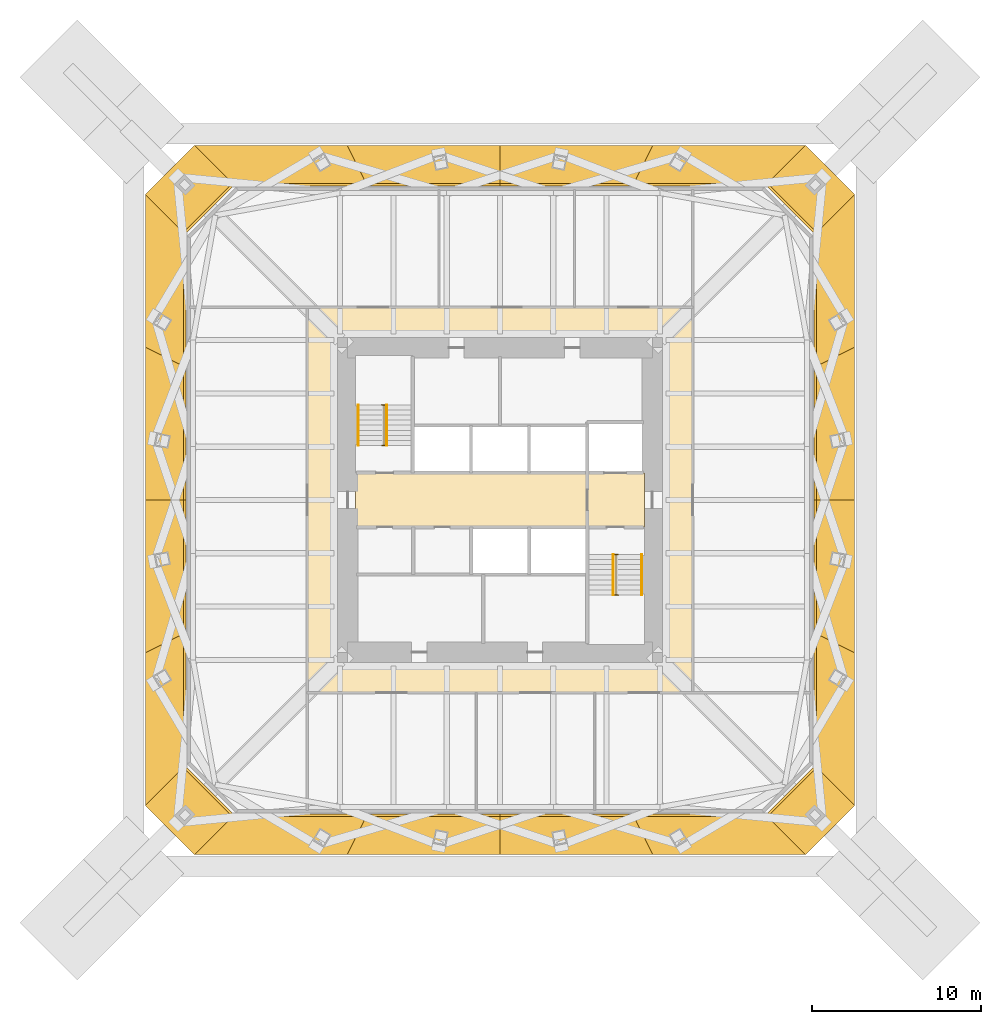
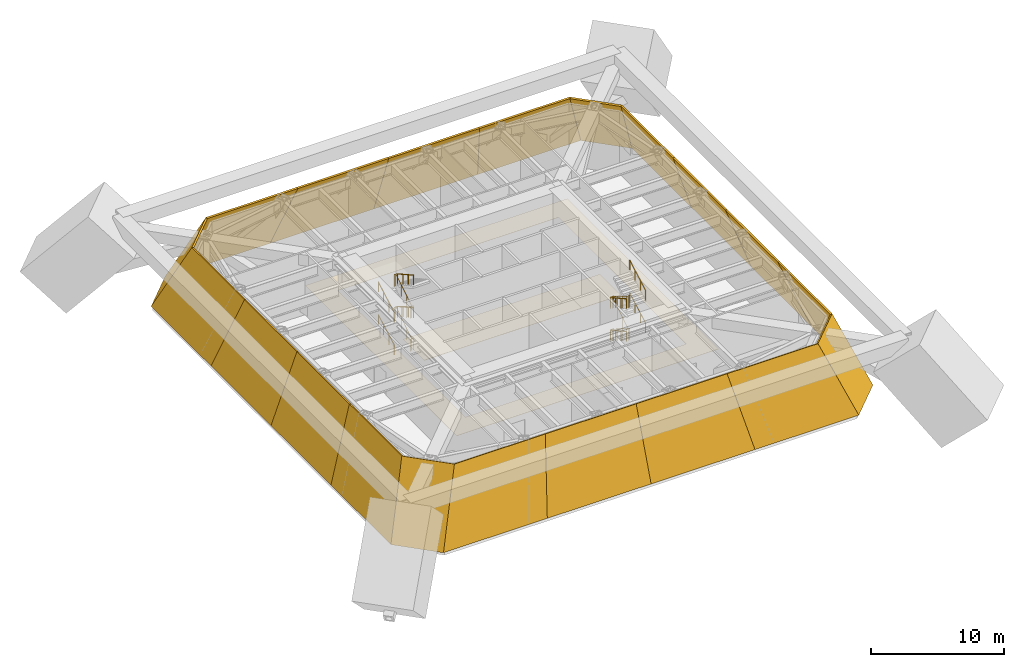
# One storey, part 6 of 6: 20 shading devices, 10 railings, 3 coverings.
"""IFC4 building model written with IfcOpenShell, lengths in metres."""

from ifc_helpers import new_model, si_unit, direction, frame, origin, origin_2d, place, context, subcontext, project, spatial, polyline, circle, outline, extrude, material, layer, layer_set, constituent, constituent_set, type_object, element, save


model = new_model("IFC4")

# Units and contexts
model_context = context("Model", 3, precision=1e-05, world=origin(), true_north=direction((0.0, 1.0)))
body_context = subcontext(model_context, "Body", "Model", "MODEL_VIEW")
ifc_project = project(units=[si_unit("LENGTHUNIT", "METRE"), si_unit("AREAUNIT", "SQUARE_METRE"), si_unit("VOLUMEUNIT", "CUBIC_METRE"), si_unit("PLANEANGLEUNIT", "RADIAN"), si_unit("MASSUNIT", "GRAM", prefix="KILO")], contexts=[model_context])

# Site, building, storey
site_placement = place(None, origin())
site = spatial("IfcSite", under=ifc_project, at=site_placement, CompositionType="ELEMENT")
building_placement = place(site_placement, origin())
building = spatial("IfcBuilding", under=site, at=building_placement, Name="Iwan Alto Co-Living Towers", CompositionType="ELEMENT")
storey_placement = place(building_placement, frame((0.0, 0.0, 143.5)))
storey = spatial("IfcBuildingStorey", under=building, at=storey_placement, Name="L39", CompositionType="ELEMENT", Elevation=143.5)

# Coverings
ifc_material_1 = material(Name="Mineral fibre acoustic tiles on steel grid", Category="steel")
ifc_layer_1 = layer(ifc_material_1, 0.02001953125)
ifc_layer_set_1 = layer_set([ifc_layer_1], Name="ACOUSTIC TILE CEILING 20")
covering_type_1 = type_object("IfcCoveringType", Name="ACOUSTIC TILE CEILING 20", PredefinedType="CEILING", material=ifc_layer_set_1)
covering_1_placement = place(storey_placement, frame((0.0, 0.0, 2.60009765625)))
element("IfcCovering", 1, at=covering_1_placement, inside=storey, type_object=covering_type_1, Name="Ceiling Lift lobby L39", PredefinedType="CEILING", context=body_context, shape_type="SweptSolid", body=[
    extrude(outline(polyline([(-8.550048828125, -1.60009765625), (-8.550048828125, 1.60009765625), (5.14990234375, 1.60009765625), (5.14990234375, -1.60009765625), (-8.550048828125, -1.60009765625)])), origin(), (0.0, 0.0, 1.0), 0.02001953125),
])
covering_2_placement = place(storey_placement, frame((0.0, 0.0, 2.60009765625)))
element("IfcCovering", 2, at=covering_2_placement, inside=storey, type_object=covering_type_1, Name="Ceiling Firefighting lobby L39", PredefinedType="CEILING", context=body_context, shape_type="SweptSolid", body=[
    extrude(outline(polyline([(5.14990234375, -1.60009765625), (5.14990234375, 1.60009765625), (8.550048828125, 1.60009765625), (8.550048828125, -1.60009765625), (5.14990234375, -1.60009765625)])), origin(), (0.0, 0.0, 1.0), 0.02001953125),
])

# Shading devices
ifc_material_2 = material(Name="Aluminium 6063-T6 bronze anodised", Category="aluminium")
ifc_layer_2 = layer(ifc_material_2, 0.10009765625, Name="Louvre blades", Category="Finish")
ifc_material_3 = material(Name="Steel ASTM A36 galvanised frame", Category="steel")
ifc_layer_3 = layer(ifc_material_3, 0.050048828125, Name="Steel frame", Category="Framing")
ifc_layer_set_2 = layer_set([ifc_layer_2, ifc_layer_3], Name="PLANT LOUVRE BAND 150")
shading_device_type = type_object("IfcShadingDeviceType", Name="PLANT LOUVRE BAND 150", PredefinedType="USERDEFINED", material=ifc_layer_set_2)
shading_device_1_placement = place(storey_placement, frame((-18.0615234375, -20.960205078125, 0.0), z_axis=(0.0, -0.936329177569, 0.351123441588), x_axis=(1.0, 0.0, 0.0)))
element("IfcShadingDevice", 3, at=shading_device_1_placement, inside=storey, type_object=shading_device_type, Name="T1 raked louvre band L39 panel 1", ObjectType="LOUVER", PredefinedType="USERDEFINED", context=body_context, shape_type="SweptSolid", body=[
    extrude(outline(polyline([(0.0, 0.0), (9.030761719, 0.0), (10.155761719, 6.408002809), (2.25, 6.408002809), (0.0, 0.0)])), origin(), (0.0, 0.0, -1.0), 0.14990234375),
])
shading_device_2_placement = place(storey_placement, frame((-9.03076171875, -20.960205078125, 0.0), z_axis=(0.0, -0.936329177569, 0.351123441588), x_axis=(1.0, 0.0, 0.0)))
element("IfcShadingDevice", 4, at=shading_device_2_placement, inside=storey, type_object=shading_device_type, Name="T1 raked louvre band L39 panel 2", ObjectType="LOUVER", PredefinedType="USERDEFINED", context=body_context, shape_type="SweptSolid", body=[
    extrude(outline(polyline([(0.0, 0.0), (9.030761719, 0.0), (9.030761719, 6.408002809), (1.125, 6.408002809), (0.0, 0.0)])), origin(), (0.0, 0.0, -1.0), 0.14990234375),
])
shading_device_3_placement = place(storey_placement, frame((0.0, -20.960205078125, 0.0), z_axis=(0.0, -0.936329177569, 0.351123441588), x_axis=(1.0, 0.0, 0.0)))
element("IfcShadingDevice", 5, at=shading_device_3_placement, inside=storey, type_object=shading_device_type, Name="T1 raked louvre band L39 panel 3", ObjectType="LOUVER", PredefinedType="USERDEFINED", context=body_context, shape_type="SweptSolid", body=[
    extrude(outline(polyline([(0.0, 0.0), (9.030761719, 0.0), (7.905761719, 6.408002809), (0.0, 6.408002809), (0.0, 0.0)])), origin(), (0.0, 0.0, -1.0), 0.14990234375),
])
shading_device_4_placement = place(storey_placement, frame((9.03076171875, -20.960205078125, 0.0), z_axis=(0.0, -0.936329177569, 0.351123441588), x_axis=(1.0, 0.0, 0.0)))
element("IfcShadingDevice", 6, at=shading_device_4_placement, inside=storey, type_object=shading_device_type, Name="T1 raked louvre band L39 panel 4", ObjectType="LOUVER", PredefinedType="USERDEFINED", context=body_context, shape_type="SweptSolid", body=[
    extrude(outline(polyline([(0.0, 0.0), (9.030761719, 0.0), (6.780761719, 6.408002809), (-1.125, 6.408002809), (0.0, 0.0)])), origin(), (0.0, 0.0, -1.0), 0.14990234375),
])
shading_device_5_placement = place(storey_placement, frame((18.0615234375, -20.960205078125, 0.0), z_axis=(0.624695047554, -0.624695047554, 0.468521285666), x_axis=(0.707106781187, 0.707106781187, 0.0)))
element("IfcShadingDevice", 7, at=shading_device_5_placement, inside=storey, type_object=shading_device_type, Name="T1 raked louvre band L39 panel 5", ObjectType="LOUVER", PredefinedType="USERDEFINED", context=body_context, shape_type="SweptSolid", body=[
    extrude(outline(polyline([(0.0, 0.0), (4.099354889, 0.0), (4.099354889, 6.791538854), (0.0, 6.791538854), (0.0, 0.0)])), origin(), (0.0, 0.0, -1.0), 0.14990234375),
])
shading_device_6_placement = place(storey_placement, frame((20.960205078125, -18.0615234375, 0.0), z_axis=(0.936329177569, 0.0, 0.351123441588), x_axis=(0.0, 1.0, 0.0)))
element("IfcShadingDevice", 8, at=shading_device_6_placement, inside=storey, type_object=shading_device_type, Name="T1 raked louvre band L39 panel 6", ObjectType="LOUVER", PredefinedType="USERDEFINED", context=body_context, shape_type="SweptSolid", body=[
    extrude(outline(polyline([(0.0, 0.0), (9.030761719, 0.0), (10.155761719, 6.408002809), (2.25, 6.408002809), (0.0, 0.0)])), origin(), (0.0, 0.0, -1.0), 0.14990234375),
])
shading_device_7_placement = place(storey_placement, frame((20.960205078125, -9.03076171875, 0.0), z_axis=(0.936329177569, 0.0, 0.351123441588), x_axis=(0.0, 1.0, 0.0)))
element("IfcShadingDevice", 9, at=shading_device_7_placement, inside=storey, type_object=shading_device_type, Name="T1 raked louvre band L39 panel 7", ObjectType="LOUVER", PredefinedType="USERDEFINED", context=body_context, shape_type="SweptSolid", body=[
    extrude(outline(polyline([(0.0, 0.0), (9.030761719, 0.0), (9.030761719, 6.408002809), (1.125, 6.408002809), (0.0, 0.0)])), origin(), (0.0, 0.0, -1.0), 0.14990234375),
])
shading_device_8_placement = place(storey_placement, frame((20.960205078125, 0.0, 0.0), z_axis=(0.936329177569, 0.0, 0.351123441588), x_axis=(0.0, 1.0, 0.0)))
element("IfcShadingDevice", 10, at=shading_device_8_placement, inside=storey, type_object=shading_device_type, Name="T1 raked louvre band L39 panel 8", ObjectType="LOUVER", PredefinedType="USERDEFINED", context=body_context, shape_type="SweptSolid", body=[
    extrude(outline(polyline([(0.0, 0.0), (9.030761719, 0.0), (7.905761719, 6.408002809), (0.0, 6.408002809), (0.0, 0.0)])), origin(), (0.0, 0.0, -1.0), 0.14990234375),
])
shading_device_9_placement = place(storey_placement, frame((20.960205078125, 9.03076171875, 0.0), z_axis=(0.936329177569, 0.0, 0.351123441588), x_axis=(0.0, 1.0, 0.0)))
element("IfcShadingDevice", 11, at=shading_device_9_placement, inside=storey, type_object=shading_device_type, Name="T1 raked louvre band L39 panel 9", ObjectType="LOUVER", PredefinedType="USERDEFINED", context=body_context, shape_type="SweptSolid", body=[
    extrude(outline(polyline([(0.0, 0.0), (9.030761719, 0.0), (6.780761719, 6.408002809), (-1.125, 6.408002809), (0.0, 0.0)])), origin(), (0.0, 0.0, -1.0), 0.14990234375),
])
shading_device_10_placement = place(storey_placement, frame((20.960205078125, 18.0615234375, 0.0), z_axis=(0.624695047554, 0.624695047554, 0.468521285666), x_axis=(-0.707106781187, 0.707106781187, 0.0)))
element("IfcShadingDevice", 12, at=shading_device_10_placement, inside=storey, type_object=shading_device_type, Name="T1 raked louvre band L39 panel 10", ObjectType="LOUVER", PredefinedType="USERDEFINED", context=body_context, shape_type="SweptSolid", body=[
    extrude(outline(polyline([(0.0, 0.0), (4.099354889, 0.0), (4.099354889, 6.791538854), (0.0, 6.791538854), (0.0, 0.0)])), origin(), (0.0, 0.0, -1.0), 0.14990234375),
])
shading_device_11_placement = place(storey_placement, frame((18.0615234375, 20.960205078125, 0.0), z_axis=(0.0, 0.936329177569, 0.351123441588), x_axis=(-1.0, 0.0, 0.0)))
element("IfcShadingDevice", 13, at=shading_device_11_placement, inside=storey, type_object=shading_device_type, Name="T1 raked louvre band L39 panel 11", ObjectType="LOUVER", PredefinedType="USERDEFINED", context=body_context, shape_type="SweptSolid", body=[
    extrude(outline(polyline([(0.0, 0.0), (9.030761719, 0.0), (10.155761719, 6.408002809), (2.25, 6.408002809), (0.0, 0.0)])), origin(), (0.0, 0.0, -1.0), 0.14990234375),
])
shading_device_12_placement = place(storey_placement, frame((9.03076171875, 20.960205078125, 0.0), z_axis=(0.0, 0.936329177569, 0.351123441588), x_axis=(-1.0, 0.0, 0.0)))
element("IfcShadingDevice", 14, at=shading_device_12_placement, inside=storey, type_object=shading_device_type, Name="T1 raked louvre band L39 panel 12", ObjectType="LOUVER", PredefinedType="USERDEFINED", context=body_context, shape_type="SweptSolid", body=[
    extrude(outline(polyline([(0.0, 0.0), (9.030761719, 0.0), (9.030761719, 6.408002809), (1.125, 6.408002809), (0.0, 0.0)])), origin(), (0.0, 0.0, -1.0), 0.14990234375),
])
shading_device_13_placement = place(storey_placement, frame((0.0, 20.960205078125, 0.0), z_axis=(0.0, 0.936329177569, 0.351123441588), x_axis=(-1.0, 0.0, 0.0)))
element("IfcShadingDevice", 15, at=shading_device_13_placement, inside=storey, type_object=shading_device_type, Name="T1 raked louvre band L39 panel 13", ObjectType="LOUVER", PredefinedType="USERDEFINED", context=body_context, shape_type="SweptSolid", body=[
    extrude(outline(polyline([(0.0, 0.0), (9.030761719, 0.0), (7.905761719, 6.408002809), (0.0, 6.408002809), (0.0, 0.0)])), origin(), (0.0, 0.0, -1.0), 0.14990234375),
])
shading_device_14_placement = place(storey_placement, frame((-9.03076171875, 20.960205078125, 0.0), z_axis=(0.0, 0.936329177569, 0.351123441588), x_axis=(-1.0, 0.0, 0.0)))
element("IfcShadingDevice", 16, at=shading_device_14_placement, inside=storey, type_object=shading_device_type, Name="T1 raked louvre band L39 panel 14", ObjectType="LOUVER", PredefinedType="USERDEFINED", context=body_context, shape_type="SweptSolid", body=[
    extrude(outline(polyline([(0.0, 0.0), (9.030761719, 0.0), (6.780761719, 6.408002809), (-1.125, 6.408002809), (0.0, 0.0)])), origin(), (0.0, 0.0, -1.0), 0.14990234375),
])
shading_device_15_placement = place(storey_placement, frame((-18.0615234375, 20.960205078125, 0.0), z_axis=(-0.624695047554, 0.624695047554, 0.468521285666), x_axis=(-0.707106781187, -0.707106781187, 0.0)))
element("IfcShadingDevice", 17, at=shading_device_15_placement, inside=storey, type_object=shading_device_type, Name="T1 raked louvre band L39 panel 15", ObjectType="LOUVER", PredefinedType="USERDEFINED", context=body_context, shape_type="SweptSolid", body=[
    extrude(outline(polyline([(0.0, 0.0), (4.099354889, 0.0), (4.099354889, 6.791538854), (0.0, 6.791538854), (0.0, 0.0)])), origin(), (0.0, 0.0, -1.0), 0.14990234375),
])
shading_device_16_placement = place(storey_placement, frame((-20.960205078125, 18.0615234375, 0.0), z_axis=(-0.936329177569, 0.0, 0.351123441588), x_axis=(0.0, -1.0, 0.0)))
element("IfcShadingDevice", 18, at=shading_device_16_placement, inside=storey, type_object=shading_device_type, Name="T1 raked louvre band L39 panel 16", ObjectType="LOUVER", PredefinedType="USERDEFINED", context=body_context, shape_type="SweptSolid", body=[
    extrude(outline(polyline([(0.0, 0.0), (9.030761719, 0.0), (10.155761719, 6.408002809), (2.25, 6.408002809), (0.0, 0.0)])), origin(), (0.0, 0.0, -1.0), 0.14990234375),
])
shading_device_17_placement = place(storey_placement, frame((-20.960205078125, 9.03076171875, 0.0), z_axis=(-0.936329177569, 0.0, 0.351123441588), x_axis=(0.0, -1.0, 0.0)))
element("IfcShadingDevice", 19, at=shading_device_17_placement, inside=storey, type_object=shading_device_type, Name="T1 raked louvre band L39 panel 17", ObjectType="LOUVER", PredefinedType="USERDEFINED", context=body_context, shape_type="SweptSolid", body=[
    extrude(outline(polyline([(0.0, 0.0), (9.030761719, 0.0), (9.030761719, 6.408002809), (1.125, 6.408002809), (0.0, 0.0)])), origin(), (0.0, 0.0, -1.0), 0.14990234375),
])
shading_device_18_placement = place(storey_placement, frame((-20.960205078125, 0.0, 0.0), z_axis=(-0.936329177569, 0.0, 0.351123441588), x_axis=(0.0, -1.0, 0.0)))
element("IfcShadingDevice", 20, at=shading_device_18_placement, inside=storey, type_object=shading_device_type, Name="T1 raked louvre band L39 panel 18", ObjectType="LOUVER", PredefinedType="USERDEFINED", context=body_context, shape_type="SweptSolid", body=[
    extrude(outline(polyline([(0.0, 0.0), (9.030761719, 0.0), (7.905761719, 6.408002809), (0.0, 6.408002809), (0.0, 0.0)])), origin(), (0.0, 0.0, -1.0), 0.14990234375),
])
shading_device_19_placement = place(storey_placement, frame((-20.960205078125, -9.03076171875, 0.0), z_axis=(-0.936329177569, 0.0, 0.351123441588), x_axis=(0.0, -1.0, 0.0)))
element("IfcShadingDevice", 21, at=shading_device_19_placement, inside=storey, type_object=shading_device_type, Name="T1 raked louvre band L39 panel 19", ObjectType="LOUVER", PredefinedType="USERDEFINED", context=body_context, shape_type="SweptSolid", body=[
    extrude(outline(polyline([(0.0, 0.0), (9.030761719, 0.0), (6.780761719, 6.408002809), (-1.125, 6.408002809), (0.0, 0.0)])), origin(), (0.0, 0.0, -1.0), 0.14990234375),
])
shading_device_20_placement = place(storey_placement, frame((-20.960205078125, -18.0615234375, 0.0), z_axis=(-0.624695047554, -0.624695047554, 0.468521285666), x_axis=(0.707106781187, -0.707106781187, 0.0)))
element("IfcShadingDevice", 22, at=shading_device_20_placement, inside=storey, type_object=shading_device_type, Name="T1 raked louvre band L39 panel 20", ObjectType="LOUVER", PredefinedType="USERDEFINED", context=body_context, shape_type="SweptSolid", body=[
    extrude(outline(polyline([(0.0, 0.0), (4.099354889, 0.0), (4.099354889, 6.791538854), (0.0, 6.791538854), (0.0, 0.0)])), origin(), (0.0, 0.0, -1.0), 0.14990234375),
])

# Railings
ifc_material_4 = material(Name="Steel ASTM A500 Gr C", Category="steel")
ifc_constituent_1 = constituent(ifc_material_4, Name="Rails and posts", Category="Framing")
ifc_material_5 = material(Name="Steel ASTM A36", Category="steel")
ifc_constituent_2 = constituent(ifc_material_5, Name="Bar infill", Category="Infill")
ifc_constituent_set = constituent_set(constituents=[ifc_constituent_1, ifc_constituent_2], Name="STAIR GUARD 1100")
railing_type_1 = type_object("IfcRailingType", Name="STAIR GUARD 1100", PredefinedType="GUARDRAIL", material=ifc_constituent_set)
railing_1_placement = place(storey_placement, frame((-6.85009765625, 3.219970703125, 0.0)))
element("IfcRailing", 23, at=railing_1_placement, inside=storey, type_object=railing_type_1, Name="Stair T1-S1 well guard L39", PredefinedType="GUARDRAIL", context=body_context, shape_type="SweptSolid", body=[
    extrude(circle(Radius=0.02392578125, at=origin_2d()), frame((0.0, 0.0, 1.076171875), z_axis=(0.0, 0.84801284173, 0.529975678933), x_axis=(-1.0, 0.0, 0.0)), (0.0, 0.0, 1.0), 2.830322265625),
    extrude(circle(Radius=0.02392578125, at=origin_2d()), frame((0.0, 2.400146484375, 2.576171875), z_axis=(0.0, -0.84801284173, 0.529975678933), x_axis=(1.0, 0.0, 0.0)), (0.0, 0.0, 1.0), 2.830322265625),
    extrude(circle(Radius=0.02392578125, at=origin_2d()), frame((0.0, 0.0, 4.076171875), z_axis=(0.0, 0.84801284173, 0.529975678933), x_axis=(-1.0, 0.0, 0.0)), (0.0, 0.0, 1.0), 2.830322265625),
    extrude(circle(Radius=0.02392578125, at=origin_2d()), frame((-0.14990234375, 0.0, 1.076171875), z_axis=(1.0, 0.0, 0.0), x_axis=(0.0, 1.0, 0.0)), (0.0, 0.0, 1.0), 0.300048828125),
    extrude(circle(Radius=0.02392578125, at=origin_2d()), frame((-0.14990234375, 2.400146484375, 2.576171875), z_axis=(1.0, 0.0, 0.0), x_axis=(0.0, 1.0, 0.0)), (0.0, 0.0, 1.0), 0.300048828125),
    extrude(circle(Radius=0.02392578125, at=origin_2d()), frame((-0.14990234375, 0.0, 4.076171875), z_axis=(1.0, 0.0, 0.0), x_axis=(0.0, 1.0, 0.0)), (0.0, 0.0, 1.0), 0.300048828125),
    extrude(circle(Radius=0.02392578125, at=origin_2d()), frame((-0.14990234375, 2.400146484375, 5.576171875), z_axis=(1.0, 0.0, 0.0), x_axis=(0.0, 1.0, 0.0)), (0.0, 0.0, 1.0), 0.300048828125),
    extrude(circle(Radius=0.02099609375, at=origin_2d()), origin(), (0.0, 0.0, 1.0), 1.052001953125),
    extrude(circle(Radius=0.02099609375, at=origin_2d()), frame((0.0, 0.800048828125, 0.5)), (0.0, 0.0, 1.0), 1.052001953125),
    extrude(circle(Radius=0.02099609375, at=origin_2d()), frame((0.0, 1.60009765625, 1.0)), (0.0, 0.0, 1.0), 1.052001953125),
    extrude(circle(Radius=0.02099609375, at=origin_2d()), frame((0.0, 2.400146484375, 1.5)), (0.0, 0.0, 1.0), 1.052001953125),
    extrude(circle(Radius=0.02099609375, at=origin_2d()), frame((0.0, 1.60009765625, 2.0)), (0.0, 0.0, 1.0), 1.052001953125),
    extrude(circle(Radius=0.02099609375, at=origin_2d()), frame((0.0, 0.800048828125, 2.5)), (0.0, 0.0, 1.0), 1.052001953125),
    extrude(circle(Radius=0.02099609375, at=origin_2d()), frame((0.0, 0.0, 3.0)), (0.0, 0.0, 1.0), 1.052001953125),
    extrude(circle(Radius=0.02099609375, at=origin_2d()), frame((0.0, 0.800048828125, 3.5)), (0.0, 0.0, 1.0), 1.052001953125),
    extrude(circle(Radius=0.02099609375, at=origin_2d()), frame((0.0, 1.60009765625, 4.0)), (0.0, 0.0, 1.0), 1.052001953125),
    extrude(circle(Radius=0.02099609375, at=origin_2d()), frame((0.0, 2.400146484375, 4.5)), (0.0, 0.0, 1.0), 1.052001953125),
    extrude(circle(Radius=0.02099609375, at=origin_2d()), frame((-0.14990234375, 0.0, 0.0)), (0.0, 0.0, 1.0), 1.052001953125),
    extrude(circle(Radius=0.02099609375, at=origin_2d()), frame((0.150146484375, 0.0, 0.0)), (0.0, 0.0, 1.0), 1.052001953125),
    extrude(circle(Radius=0.02099609375, at=origin_2d()), frame((-0.14990234375, 2.400146484375, 1.5)), (0.0, 0.0, 1.0), 1.052001953125),
    extrude(circle(Radius=0.02099609375, at=origin_2d()), frame((0.150146484375, 2.400146484375, 1.5)), (0.0, 0.0, 1.0), 1.052001953125),
    extrude(circle(Radius=0.02099609375, at=origin_2d()), frame((-0.14990234375, 0.0, 3.0)), (0.0, 0.0, 1.0), 1.052001953125),
    extrude(circle(Radius=0.02099609375, at=origin_2d()), frame((0.150146484375, 0.0, 3.0)), (0.0, 0.0, 1.0), 1.052001953125),
    extrude(circle(Radius=0.02099609375, at=origin_2d()), frame((-0.14990234375, 2.400146484375, 4.5)), (0.0, 0.0, 1.0), 1.052001953125),
    extrude(circle(Radius=0.02099609375, at=origin_2d()), frame((0.150146484375, 2.400146484375, 4.5)), (0.0, 0.0, 1.0), 1.052001953125),
])
railing_2_placement = place(storey_placement, frame((6.85009765625, -3.219970703125, 0.0)))
element("IfcRailing", 24, at=railing_2_placement, inside=storey, type_object=railing_type_1, Name="Stair T1-S2 well guard L39", PredefinedType="GUARDRAIL", context=body_context, shape_type="SweptSolid", body=[
    extrude(circle(Radius=0.02392578125, at=origin_2d()), frame((0.0, 0.0, 1.076171875), z_axis=(0.0, -0.84801284173, 0.529975678933), x_axis=(1.0, 0.0, 0.0)), (0.0, 0.0, 1.0), 2.830322265625),
    extrude(circle(Radius=0.02392578125, at=origin_2d()), frame((0.0, -2.400146484375, 2.576171875), z_axis=(0.0, 0.84801284173, 0.529975678933), x_axis=(-1.0, 0.0, 0.0)), (0.0, 0.0, 1.0), 2.830322265625),
    extrude(circle(Radius=0.02392578125, at=origin_2d()), frame((0.0, 0.0, 4.076171875), z_axis=(0.0, -0.84801284173, 0.529975678933), x_axis=(1.0, 0.0, 0.0)), (0.0, 0.0, 1.0), 2.830322265625),
    extrude(circle(Radius=0.02392578125, at=origin_2d()), frame((-0.150146484375, 0.0, 1.076171875), z_axis=(1.0, 0.0, 0.0), x_axis=(0.0, 1.0, 0.0)), (0.0, 0.0, 1.0), 0.300048828125),
    extrude(circle(Radius=0.02392578125, at=origin_2d()), frame((-0.150146484375, -2.400146484375, 2.576171875), z_axis=(1.0, 0.0, 0.0), x_axis=(0.0, 1.0, 0.0)), (0.0, 0.0, 1.0), 0.300048828125),
    extrude(circle(Radius=0.02392578125, at=origin_2d()), frame((-0.150146484375, 0.0, 4.076171875), z_axis=(1.0, 0.0, 0.0), x_axis=(0.0, 1.0, 0.0)), (0.0, 0.0, 1.0), 0.300048828125),
    extrude(circle(Radius=0.02392578125, at=origin_2d()), frame((-0.150146484375, -2.400146484375, 5.576171875), z_axis=(1.0, 0.0, 0.0), x_axis=(0.0, 1.0, 0.0)), (0.0, 0.0, 1.0), 0.300048828125),
    extrude(circle(Radius=0.02099609375, at=origin_2d()), origin(), (0.0, 0.0, 1.0), 1.052001953125),
    extrude(circle(Radius=0.02099609375, at=origin_2d()), frame((0.0, -0.800048828125, 0.5)), (0.0, 0.0, 1.0), 1.052001953125),
    extrude(circle(Radius=0.02099609375, at=origin_2d()), frame((0.0, -1.60009765625, 1.0)), (0.0, 0.0, 1.0), 1.052001953125),
    extrude(circle(Radius=0.02099609375, at=origin_2d()), frame((0.0, -2.400146484375, 1.5)), (0.0, 0.0, 1.0), 1.052001953125),
    extrude(circle(Radius=0.02099609375, at=origin_2d()), frame((0.0, -1.60009765625, 2.0)), (0.0, 0.0, 1.0), 1.052001953125),
    extrude(circle(Radius=0.02099609375, at=origin_2d()), frame((0.0, -0.800048828125, 2.5)), (0.0, 0.0, 1.0), 1.052001953125),
    extrude(circle(Radius=0.02099609375, at=origin_2d()), frame((0.0, 0.0, 3.0)), (0.0, 0.0, 1.0), 1.052001953125),
    extrude(circle(Radius=0.02099609375, at=origin_2d()), frame((0.0, -0.800048828125, 3.5)), (0.0, 0.0, 1.0), 1.052001953125),
    extrude(circle(Radius=0.02099609375, at=origin_2d()), frame((0.0, -1.60009765625, 4.0)), (0.0, 0.0, 1.0), 1.052001953125),
    extrude(circle(Radius=0.02099609375, at=origin_2d()), frame((0.0, -2.400146484375, 4.5)), (0.0, 0.0, 1.0), 1.052001953125),
    extrude(circle(Radius=0.02099609375, at=origin_2d()), frame((-0.150146484375, 0.0, 0.0)), (0.0, 0.0, 1.0), 1.052001953125),
    extrude(circle(Radius=0.02099609375, at=origin_2d()), frame((0.14990234375, 0.0, 0.0)), (0.0, 0.0, 1.0), 1.052001953125),
    extrude(circle(Radius=0.02099609375, at=origin_2d()), frame((-0.150146484375, -2.400146484375, 1.5)), (0.0, 0.0, 1.0), 1.052001953125),
    extrude(circle(Radius=0.02099609375, at=origin_2d()), frame((0.14990234375, -2.400146484375, 1.5)), (0.0, 0.0, 1.0), 1.052001953125),
    extrude(circle(Radius=0.02099609375, at=origin_2d()), frame((-0.150146484375, 0.0, 3.0)), (0.0, 0.0, 1.0), 1.052001953125),
    extrude(circle(Radius=0.02099609375, at=origin_2d()), frame((0.14990234375, 0.0, 3.0)), (0.0, 0.0, 1.0), 1.052001953125),
    extrude(circle(Radius=0.02099609375, at=origin_2d()), frame((-0.150146484375, -2.400146484375, 4.5)), (0.0, 0.0, 1.0), 1.052001953125),
    extrude(circle(Radius=0.02099609375, at=origin_2d()), frame((0.14990234375, -2.400146484375, 4.5)), (0.0, 0.0, 1.0), 1.052001953125),
])
ifc_material_6 = material(Name="Steel ASTM A500 Gr C", Category="steel")
railing_type_2 = type_object("IfcRailingType", Name="STAIR HANDRAIL 900", PredefinedType="HANDRAIL", material=ifc_material_6)
railing_3_placement = place(storey_placement, frame((-8.3798828125, 3.219970703125, 0.166748046875)))
element("IfcRailing", 25, at=railing_3_placement, inside=storey, type_object=railing_type_2, Name="Stair T1-S1 handrail 1 L39", PredefinedType="HANDRAIL", context=body_context, shape_type="SweptSolid", body=[
    extrude(circle(Radius=0.02392578125, at=origin_2d()), frame((0.0, 0.0, 0.8759765625), z_axis=(0.0, 0.874182441271, 0.485597631145), x_axis=(-1.0, 0.0, 0.0)), (0.0, 0.0, 1.0), 2.74560546875),
    extrude(circle(Radius=0.02099609375, at=origin_2d()), origin(), (0.0, 0.0, 1.0), 0.851806640625),
    extrude(circle(Radius=0.02099609375, at=origin_2d()), frame((0.0, 0.800048828125, 0.4443359375)), (0.0, 0.0, 1.0), 0.851806640625),
    extrude(circle(Radius=0.02099609375, at=origin_2d()), frame((0.0, 1.60009765625, 0.888916015625)), (0.0, 0.0, 1.0), 0.851806640625),
    extrude(circle(Radius=0.02099609375, at=origin_2d()), frame((0.0, 2.400146484375, 1.333251953125)), (0.0, 0.0, 1.0), 0.851806640625),
])
railing_4_placement = place(storey_placement, frame((-6.699951171875, 5.6201171875, 1.666748046875)))
element("IfcRailing", 26, at=railing_4_placement, inside=storey, type_object=railing_type_2, Name="Stair T1-S1 handrail 2 L39", PredefinedType="HANDRAIL", context=body_context, shape_type="SweptSolid", body=[
    extrude(circle(Radius=0.02392578125, at=origin_2d()), frame((0.0, 0.0, 0.8759765625), z_axis=(0.0, -0.874182441271, 0.485597631145), x_axis=(1.0, 0.0, 0.0)), (0.0, 0.0, 1.0), 2.74560546875),
    extrude(circle(Radius=0.02099609375, at=origin_2d()), origin(), (0.0, 0.0, 1.0), 0.851806640625),
    extrude(circle(Radius=0.02099609375, at=origin_2d()), frame((0.0, -0.800048828125, 0.4443359375)), (0.0, 0.0, 1.0), 0.851806640625),
    extrude(circle(Radius=0.02099609375, at=origin_2d()), frame((0.0, -1.60009765625, 0.888916015625)), (0.0, 0.0, 1.0), 0.851806640625),
    extrude(circle(Radius=0.02099609375, at=origin_2d()), frame((0.0, -2.400146484375, 1.333251953125)), (0.0, 0.0, 1.0), 0.851806640625),
])
railing_5_placement = place(storey_placement, frame((-8.3798828125, 3.219970703125, 3.166748046875)))
element("IfcRailing", 27, at=railing_5_placement, inside=storey, type_object=railing_type_2, Name="Stair T1-S1 handrail 3 L39", PredefinedType="HANDRAIL", context=body_context, shape_type="SweptSolid", body=[
    extrude(circle(Radius=0.02392578125, at=origin_2d()), frame((0.0, 0.0, 0.8759765625), z_axis=(0.0, 0.874182441271, 0.485597631145), x_axis=(-1.0, 0.0, 0.0)), (0.0, 0.0, 1.0), 2.74560546875),
    extrude(circle(Radius=0.02099609375, at=origin_2d()), origin(), (0.0, 0.0, 1.0), 0.851806640625),
    extrude(circle(Radius=0.02099609375, at=origin_2d()), frame((0.0, 0.800048828125, 0.4443359375)), (0.0, 0.0, 1.0), 0.851806640625),
    extrude(circle(Radius=0.02099609375, at=origin_2d()), frame((0.0, 1.60009765625, 0.888916015625)), (0.0, 0.0, 1.0), 0.851806640625),
    extrude(circle(Radius=0.02099609375, at=origin_2d()), frame((0.0, 2.400146484375, 1.333251953125)), (0.0, 0.0, 1.0), 0.851806640625),
])
for number, where, name in (
    (28, (-6.699951171875, 5.6201171875, 4.666748046875), "Stair T1-S1 handrail 4 L39"),
    (29, (6.699951171875, -3.219970703125, 0.166748046875), "Stair T1-S2 handrail 1 L39"),
):
    element("IfcRailing", number, at=place(storey_placement, frame(where)), inside=storey, type_object=railing_type_2, Name=name, PredefinedType="HANDRAIL", context=body_context, shape_type="SweptSolid", body=[
        extrude(circle(Radius=0.02392578125, at=origin_2d()), frame((0.0, 0.0, 0.8759765625), z_axis=(0.0, -0.874182441271, 0.485597631145), x_axis=(1.0, 0.0, 0.0)), (0.0, 0.0, 1.0), 2.74560546875),
        extrude(circle(Radius=0.02099609375, at=origin_2d()), origin(), (0.0, 0.0, 1.0), 0.851806640625),
        extrude(circle(Radius=0.02099609375, at=origin_2d()), frame((0.0, -0.800048828125, 0.4443359375)), (0.0, 0.0, 1.0), 0.851806640625),
        extrude(circle(Radius=0.02099609375, at=origin_2d()), frame((0.0, -1.60009765625, 0.888916015625)), (0.0, 0.0, 1.0), 0.851806640625),
        extrude(circle(Radius=0.02099609375, at=origin_2d()), frame((0.0, -2.400146484375, 1.333251953125)), (0.0, 0.0, 1.0), 0.851806640625),
    ])
railing_6_placement = place(storey_placement, frame((8.3798828125, -5.6201171875, 1.666748046875)))
element("IfcRailing", 30, at=railing_6_placement, inside=storey, type_object=railing_type_2, Name="Stair T1-S2 handrail 2 L39", PredefinedType="HANDRAIL", context=body_context, shape_type="SweptSolid", body=[
    extrude(circle(Radius=0.02392578125, at=origin_2d()), frame((0.0, 0.0, 0.8759765625), z_axis=(0.0, 0.874182441271, 0.485597631145), x_axis=(-1.0, 0.0, 0.0)), (0.0, 0.0, 1.0), 2.74560546875),
    extrude(circle(Radius=0.02099609375, at=origin_2d()), origin(), (0.0, 0.0, 1.0), 0.851806640625),
    extrude(circle(Radius=0.02099609375, at=origin_2d()), frame((0.0, 0.800048828125, 0.4443359375)), (0.0, 0.0, 1.0), 0.851806640625),
    extrude(circle(Radius=0.02099609375, at=origin_2d()), frame((0.0, 1.60009765625, 0.888916015625)), (0.0, 0.0, 1.0), 0.851806640625),
    extrude(circle(Radius=0.02099609375, at=origin_2d()), frame((0.0, 2.400146484375, 1.333251953125)), (0.0, 0.0, 1.0), 0.851806640625),
])
railing_7_placement = place(storey_placement, frame((6.699951171875, -3.219970703125, 3.166748046875)))
element("IfcRailing", 31, at=railing_7_placement, inside=storey, type_object=railing_type_2, Name="Stair T1-S2 handrail 3 L39", PredefinedType="HANDRAIL", context=body_context, shape_type="SweptSolid", body=[
    extrude(circle(Radius=0.02392578125, at=origin_2d()), frame((0.0, 0.0, 0.8759765625), z_axis=(0.0, -0.874182441271, 0.485597631145), x_axis=(1.0, 0.0, 0.0)), (0.0, 0.0, 1.0), 2.74560546875),
    extrude(circle(Radius=0.02099609375, at=origin_2d()), origin(), (0.0, 0.0, 1.0), 0.851806640625),
    extrude(circle(Radius=0.02099609375, at=origin_2d()), frame((0.0, -0.800048828125, 0.4443359375)), (0.0, 0.0, 1.0), 0.851806640625),
    extrude(circle(Radius=0.02099609375, at=origin_2d()), frame((0.0, -1.60009765625, 0.888916015625)), (0.0, 0.0, 1.0), 0.851806640625),
    extrude(circle(Radius=0.02099609375, at=origin_2d()), frame((0.0, -2.400146484375, 1.333251953125)), (0.0, 0.0, 1.0), 0.851806640625),
])
railing_8_placement = place(storey_placement, frame((8.3798828125, -5.6201171875, 4.666748046875)))
element("IfcRailing", 32, at=railing_8_placement, inside=storey, type_object=railing_type_2, Name="Stair T1-S2 handrail 4 L39", PredefinedType="HANDRAIL", context=body_context, shape_type="SweptSolid", body=[
    extrude(circle(Radius=0.02392578125, at=origin_2d()), frame((0.0, 0.0, 0.8759765625), z_axis=(0.0, 0.874182441271, 0.485597631145), x_axis=(-1.0, 0.0, 0.0)), (0.0, 0.0, 1.0), 2.74560546875),
    extrude(circle(Radius=0.02099609375, at=origin_2d()), origin(), (0.0, 0.0, 1.0), 0.851806640625),
    extrude(circle(Radius=0.02099609375, at=origin_2d()), frame((0.0, 0.800048828125, 0.4443359375)), (0.0, 0.0, 1.0), 0.851806640625),
    extrude(circle(Radius=0.02099609375, at=origin_2d()), frame((0.0, 1.60009765625, 0.888916015625)), (0.0, 0.0, 1.0), 0.851806640625),
    extrude(circle(Radius=0.02099609375, at=origin_2d()), frame((0.0, 2.400146484375, 1.333251953125)), (0.0, 0.0, 1.0), 0.851806640625),
])

# Covering
ifc_material_7 = material(Name="Gypsum plasterboard on steel grid", Category="steel")
ifc_layer_4 = layer(ifc_material_7, 0.014892578125)
ifc_layer_set_3 = layer_set([ifc_layer_4], Name="SUSPENDED PLASTERBOARD CEILING 15")
covering_type_2 = type_object("IfcCoveringType", Name="SUSPENDED PLASTERBOARD CEILING 15", PredefinedType="CEILING", material=ifc_layer_set_3)
covering_3_placement = place(storey_placement, frame((0.0, 0.0, 2.60009765625)))
element("IfcCovering", 33, at=covering_3_placement, inside=storey, type_object=covering_type_2, Name="Ceiling Corridor L39", PredefinedType="CEILING", context=body_context, shape_type="SweptSolid", body=[
    extrude(outline(polyline([(-11.39990234375, 11.39990234375), (11.39990234375, 11.39990234375), (11.39990234375, -11.39990234375), (-11.39990234375, -11.39990234375), (-11.39990234375, 11.39990234375)]), holes=[polyline([(-9.60009765625, 9.60009765625), (-9.60009765625, -9.60009765625), (9.60009765625, -9.60009765625), (9.60009765625, 9.60009765625), (-9.60009765625, 9.60009765625)])]), origin(), (0.0, 0.0, 1.0), 0.014892578125),
])

save(model, "model.ifc")
